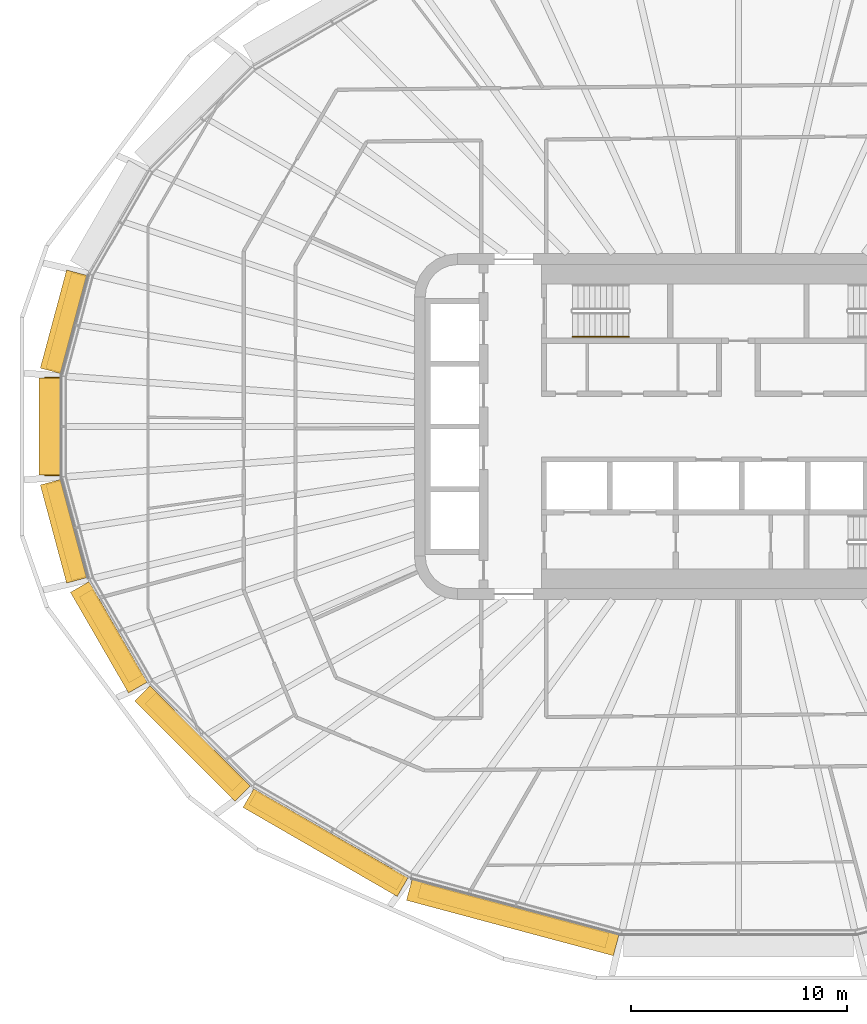
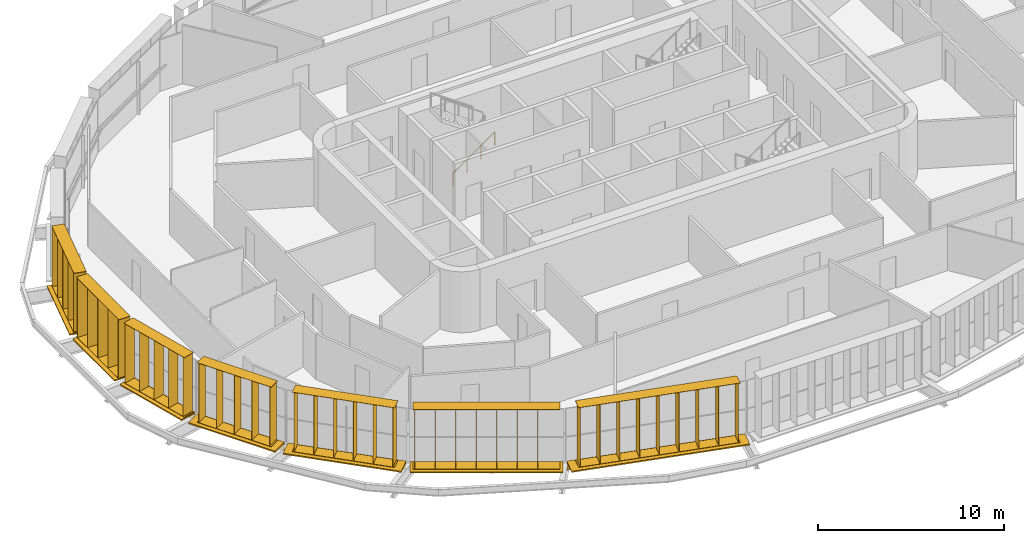
# One storey, part 18 of 23: 14 shading devices, 1 railing.
"""IFC4 building model written with IfcOpenShell, lengths in metres."""

from ifc_helpers import new_model, si_unit, direction, frame, origin, origin_2d, place, context, subcontext, project, spatial, rectangle, circle, extrude, material, type_object, element, save


model = new_model("IFC4")

# Units and contexts
model_context = context("Model", 3, precision=1e-05, world=origin(), true_north=direction((0.0, 1.0)))
body_context = subcontext(model_context, "Body", "Model", "MODEL_VIEW")
ifc_project = project(units=[si_unit("LENGTHUNIT", "METRE"), si_unit("AREAUNIT", "SQUARE_METRE"), si_unit("VOLUMEUNIT", "CUBIC_METRE"), si_unit("PLANEANGLEUNIT", "RADIAN"), si_unit("MASSUNIT", "GRAM", prefix="KILO")], contexts=[model_context])

# Site, building, storey
site_placement = place(None, origin())
site = spatial("IfcSite", under=ifc_project, at=site_placement, CompositionType="ELEMENT")
building_placement = place(site_placement, origin())
building = spatial("IfcBuilding", under=site, at=building_placement, Name="Sahrelin Media Tower", CompositionType="ELEMENT")
storey_placement = place(building_placement, frame((0.0, 0.0, 161.60009765625)))
storey = spatial("IfcBuildingStorey", under=building, at=storey_placement, Name="L33", CompositionType="ELEMENT", Elevation=161.60009765625)

# Shading devices
ifc_material_1 = material(Name="Champagne anodised aluminium 6063-T6", Category="aluminium")
shading_device_type_1 = type_object("IfcShadingDeviceType", Name="Fin cassette", PredefinedType="USERDEFINED", material=ifc_material_1)
placement_1 = place(storey_placement, frame((-30.71728515625, 4.709716796875, 0.0), z_axis=(0.0, 0.0, 1.0), x_axis=(0.258807731996, 0.965928857556, 0.0)))
element("IfcShadingDevice", 1, at=placement_1, inside=storey, type_object=shading_device_type_1, Name="L33:FIN:L33-11", ObjectType="FIN", PredefinedType="USERDEFINED", context=body_context, shape_type="SweptSolid", body=[
    extrude(rectangle(XDim=4.60009765625, YDim=0.699951171875, at=origin_2d()), frame((0.0, 0.419921875, 0.0)), (0.0, 0.0, 1.0), 0.02001953125),
    extrude(rectangle(XDim=4.60009765625, YDim=0.699951171875, at=origin_2d()), frame((0.0, 0.419921875, 3.89990234375)), (0.0, 0.0, 1.0), 0.02001953125),
    extrude(rectangle(XDim=0.02001953125, YDim=0.699951171875, at=origin_2d()), frame((-2.199951171875, 0.419921875, 0.010009765625), z_axis=(0.0, 0.0, 1.0), x_axis=(1.0, 0.0, 0.0)), (0.0, 0.0, 1.0), 3.89990234375),
    extrude(rectangle(XDim=0.02001953125, YDim=0.699951171875, at=origin_2d()), frame((-1.10009765625, 0.419921875, 0.010009765625), z_axis=(0.0, 0.0, 1.0), x_axis=(1.0, 0.0, 0.0)), (0.0, 0.0, 1.0), 3.89990234375),
    extrude(rectangle(XDim=0.02001953125, YDim=0.699951171875, at=origin_2d()), frame((0.0, 0.419921875, 0.010009765625), z_axis=(0.0, 0.0, 1.0), x_axis=(1.0, 0.0, 0.0)), (0.0, 0.0, 1.0), 3.89990234375),
    extrude(rectangle(XDim=0.02001953125, YDim=0.699951171875, at=origin_2d()), frame((1.10009765625, 0.419921875, 0.010009765625), z_axis=(0.0, 0.0, 1.0), x_axis=(1.0, 0.0, 0.0)), (0.0, 0.0, 1.0), 3.89990234375),
    extrude(rectangle(XDim=0.02001953125, YDim=0.699951171875, at=origin_2d()), frame((2.199951171875, 0.419921875, 0.010009765625), z_axis=(0.0, 0.0, 1.0), x_axis=(1.0, 0.0, 0.0)), (0.0, 0.0, 1.0), 3.89990234375),
])
placement_2 = place(storey_placement, frame((-31.3515625, 0.0, 0.0), z_axis=(0.0, 0.0, 1.0), x_axis=(0.0, 1.0, 0.0)))
element("IfcShadingDevice", 2, at=placement_2, inside=storey, type_object=shading_device_type_1, Name="L33:FIN:L33-12", ObjectType="FIN", PredefinedType="USERDEFINED", context=body_context, shape_type="SweptSolid", body=[
    extrude(rectangle(XDim=4.60009765625, YDim=0.699951171875, at=origin_2d()), frame((0.0, 0.419921875, 0.0)), (0.0, 0.0, 1.0), 0.02001953125),
    extrude(rectangle(XDim=4.60009765625, YDim=0.699951171875, at=origin_2d()), frame((0.0, 0.419921875, 3.89990234375)), (0.0, 0.0, 1.0), 0.02001953125),
    extrude(rectangle(XDim=0.02001953125, YDim=0.699951171875, at=origin_2d()), frame((-2.199951171875, 0.419921875, 0.010009765625), z_axis=(0.0, 0.0, 1.0), x_axis=(1.0, 0.0, 0.0)), (0.0, 0.0, 1.0), 3.89990234375),
    extrude(rectangle(XDim=0.02001953125, YDim=0.699951171875, at=origin_2d()), frame((-1.10009765625, 0.419921875, 0.010009765625), z_axis=(0.0, 0.0, 1.0), x_axis=(1.0, 0.0, 0.0)), (0.0, 0.0, 1.0), 3.89990234375),
    extrude(rectangle(XDim=0.02001953125, YDim=0.699951171875, at=origin_2d()), frame((0.0, 0.419921875, 0.010009765625), z_axis=(0.0, 0.0, 1.0), x_axis=(1.0, 0.0, 0.0)), (0.0, 0.0, 1.0), 3.89990234375),
    extrude(rectangle(XDim=0.02001953125, YDim=0.699951171875, at=origin_2d()), frame((1.10009765625, 0.419921875, 0.010009765625), z_axis=(0.0, 0.0, 1.0), x_axis=(1.0, 0.0, 0.0)), (0.0, 0.0, 1.0), 3.89990234375),
    extrude(rectangle(XDim=0.02001953125, YDim=0.699951171875, at=origin_2d()), frame((2.199951171875, 0.419921875, 0.010009765625), z_axis=(0.0, 0.0, 1.0), x_axis=(1.0, 0.0, 0.0)), (0.0, 0.0, 1.0), 3.89990234375),
])
placement_3 = place(storey_placement, frame((-30.71728515625, -4.709716796875, 0.0), z_axis=(0.0, 0.0, 1.0), x_axis=(-0.258807731996, 0.965928857556, 0.0)))
element("IfcShadingDevice", 3, at=placement_3, inside=storey, type_object=shading_device_type_1, Name="L33:FIN:L33-13", ObjectType="FIN", PredefinedType="USERDEFINED", context=body_context, shape_type="SweptSolid", body=[
    extrude(rectangle(XDim=4.60009765625, YDim=0.699951171875, at=origin_2d()), frame((0.0, 0.419921875, 0.0)), (0.0, 0.0, 1.0), 0.02001953125),
    extrude(rectangle(XDim=4.60009765625, YDim=0.699951171875, at=origin_2d()), frame((0.0, 0.419921875, 3.89990234375)), (0.0, 0.0, 1.0), 0.02001953125),
    extrude(rectangle(XDim=0.02001953125, YDim=0.699951171875, at=origin_2d()), frame((-2.199951171875, 0.419921875, 0.010009765625), z_axis=(0.0, 0.0, 1.0), x_axis=(1.0, 0.0, 0.0)), (0.0, 0.0, 1.0), 3.89990234375),
    extrude(rectangle(XDim=0.02001953125, YDim=0.699951171875, at=origin_2d()), frame((-1.10009765625, 0.419921875, 0.010009765625), z_axis=(0.0, 0.0, 1.0), x_axis=(1.0, 0.0, 0.0)), (0.0, 0.0, 1.0), 3.89990234375),
    extrude(rectangle(XDim=0.02001953125, YDim=0.699951171875, at=origin_2d()), frame((0.0, 0.419921875, 0.010009765625), z_axis=(0.0, 0.0, 1.0), x_axis=(1.0, 0.0, 0.0)), (0.0, 0.0, 1.0), 3.89990234375),
    extrude(rectangle(XDim=0.02001953125, YDim=0.699951171875, at=origin_2d()), frame((1.10009765625, 0.419921875, 0.010009765625), z_axis=(0.0, 0.0, 1.0), x_axis=(1.0, 0.0, 0.0)), (0.0, 0.0, 1.0), 3.89990234375),
    extrude(rectangle(XDim=0.02001953125, YDim=0.699951171875, at=origin_2d()), frame((2.199951171875, 0.419921875, 0.010009765625), z_axis=(0.0, 0.0, 1.0), x_axis=(1.0, 0.0, 0.0)), (0.0, 0.0, 1.0), 3.89990234375),
])
placement_4 = place(storey_placement, frame((-28.689208984375, -9.490966796875, 0.0), z_axis=(0.0, 0.0, 1.0), x_axis=(-0.500011000363, 0.866019052629, 0.0)))
element("IfcShadingDevice", 4, at=placement_4, inside=storey, type_object=shading_device_type_1, Name="L33:FIN:L33-14", ObjectType="FIN", PredefinedType="USERDEFINED", context=body_context, shape_type="SweptSolid", body=[
    extrude(rectangle(XDim=4.60009765625, YDim=0.699951171875, at=origin_2d()), frame((0.0, 0.419921875, 0.0)), (0.0, 0.0, 1.0), 0.02001953125),
    extrude(rectangle(XDim=4.60009765625, YDim=0.699951171875, at=origin_2d()), frame((0.0, 0.419921875, 3.89990234375)), (0.0, 0.0, 1.0), 0.02001953125),
    extrude(rectangle(XDim=0.02001953125, YDim=0.699951171875, at=origin_2d()), frame((-2.199951171875, 0.419921875, 0.010009765625), z_axis=(0.0, 0.0, 1.0), x_axis=(1.0, 0.0, 0.0)), (0.0, 0.0, 1.0), 3.89990234375),
    extrude(rectangle(XDim=0.02001953125, YDim=0.699951171875, at=origin_2d()), frame((-1.10009765625, 0.419921875, 0.010009765625), z_axis=(0.0, 0.0, 1.0), x_axis=(1.0, 0.0, 0.0)), (0.0, 0.0, 1.0), 3.89990234375),
    extrude(rectangle(XDim=0.02001953125, YDim=0.699951171875, at=origin_2d()), frame((0.0, 0.419921875, 0.010009765625), z_axis=(0.0, 0.0, 1.0), x_axis=(1.0, 0.0, 0.0)), (0.0, 0.0, 1.0), 3.89990234375),
    extrude(rectangle(XDim=0.02001953125, YDim=0.699951171875, at=origin_2d()), frame((1.10009765625, 0.419921875, 0.010009765625), z_axis=(0.0, 0.0, 1.0), x_axis=(1.0, 0.0, 0.0)), (0.0, 0.0, 1.0), 3.89990234375),
    extrude(rectangle(XDim=0.02001953125, YDim=0.699951171875, at=origin_2d()), frame((2.199951171875, 0.419921875, 0.010009765625), z_axis=(0.0, 0.0, 1.0), x_axis=(1.0, 0.0, 0.0)), (0.0, 0.0, 1.0), 3.89990234375),
])
placement_5 = place(storey_placement, frame((-24.900634765625, -14.30029296875, 0.0), z_axis=(0.0, 0.0, 1.0), x_axis=(-0.707106781187, 0.707106781187, 0.0)))
element("IfcShadingDevice", 5, at=placement_5, inside=storey, type_object=shading_device_type_1, Name="L33:FIN:L33-15", ObjectType="FIN", PredefinedType="USERDEFINED", context=body_context, shape_type="SweptSolid", body=[
    extrude(rectangle(XDim=5.699951171875, YDim=0.699951171875, at=origin_2d()), frame((0.0, 0.419921875, 0.0)), (0.0, 0.0, 1.0), 0.02001953125),
    extrude(rectangle(XDim=5.699951171875, YDim=0.699951171875, at=origin_2d()), frame((0.0, 0.419921875, 3.89990234375)), (0.0, 0.0, 1.0), 0.02001953125),
    extrude(rectangle(XDim=0.02001953125, YDim=0.699951171875, at=origin_2d()), frame((-2.75, 0.419921875, 0.010009765625), z_axis=(0.0, 0.0, 1.0), x_axis=(1.0, 0.0, 0.0)), (0.0, 0.0, 1.0), 3.89990234375),
    extrude(rectangle(XDim=0.02001953125, YDim=0.699951171875, at=origin_2d()), frame((-1.64990234375, 0.419921875, 0.010009765625), z_axis=(0.0, 0.0, 1.0), x_axis=(1.0, 0.0, 0.0)), (0.0, 0.0, 1.0), 3.89990234375),
    extrude(rectangle(XDim=0.02001953125, YDim=0.699951171875, at=origin_2d()), frame((-0.550048828125, 0.419921875, 0.010009765625), z_axis=(0.0, 0.0, 1.0), x_axis=(1.0, 0.0, 0.0)), (0.0, 0.0, 1.0), 3.89990234375),
    extrude(rectangle(XDim=0.02001953125, YDim=0.699951171875, at=origin_2d()), frame((0.550048828125, 0.419921875, 0.010009765625), z_axis=(0.0, 0.0, 1.0), x_axis=(1.0, 0.0, 0.0)), (0.0, 0.0, 1.0), 3.89990234375),
    extrude(rectangle(XDim=0.02001953125, YDim=0.699951171875, at=origin_2d()), frame((1.64990234375, 0.419921875, 0.010009765625), z_axis=(0.0, 0.0, 1.0), x_axis=(1.0, 0.0, 0.0)), (0.0, 0.0, 1.0), 3.89990234375),
    extrude(rectangle(XDim=0.02001953125, YDim=0.699951171875, at=origin_2d()), frame((2.75, 0.419921875, 0.010009765625), z_axis=(0.0, 0.0, 1.0), x_axis=(1.0, 0.0, 0.0)), (0.0, 0.0, 1.0), 3.89990234375),
])
placement_6 = place(storey_placement, frame((-18.85107421875, -18.804931640625, 0.0), z_axis=(0.0, 0.0, 1.0), x_axis=(-0.866019052629, 0.500011000363, 0.0)))
element("IfcShadingDevice", 6, at=placement_6, inside=storey, type_object=shading_device_type_1, Name="L33:FIN:L33-16", ObjectType="FIN", PredefinedType="USERDEFINED", context=body_context, shape_type="SweptSolid", body=[
    extrude(rectangle(XDim=7.89990234375, YDim=0.699951171875, at=origin_2d()), frame((0.0, 0.419921875, 0.0)), (0.0, 0.0, 1.0), 0.02001953125),
    extrude(rectangle(XDim=7.89990234375, YDim=0.699951171875, at=origin_2d()), frame((0.0, 0.419921875, 3.89990234375)), (0.0, 0.0, 1.0), 0.02001953125),
    extrude(rectangle(XDim=0.02001953125, YDim=0.699951171875, at=origin_2d()), frame((-3.85009765625, 0.419921875, 0.010009765625), z_axis=(0.0, 0.0, 1.0), x_axis=(1.0, 0.0, 0.0)), (0.0, 0.0, 1.0), 3.89990234375),
    extrude(rectangle(XDim=0.02001953125, YDim=0.699951171875, at=origin_2d()), frame((-2.75, 0.419921875, 0.010009765625), z_axis=(0.0, 0.0, 1.0), x_axis=(1.0, 0.0, 0.0)), (0.0, 0.0, 1.0), 3.89990234375),
    extrude(rectangle(XDim=0.02001953125, YDim=0.699951171875, at=origin_2d()), frame((-1.64990234375, 0.419921875, 0.010009765625), z_axis=(0.0, 0.0, 1.0), x_axis=(1.0, 0.0, 0.0)), (0.0, 0.0, 1.0), 3.89990234375),
    extrude(rectangle(XDim=0.02001953125, YDim=0.699951171875, at=origin_2d()), frame((-0.550048828125, 0.419921875, 0.010009765625), z_axis=(0.0, 0.0, 1.0), x_axis=(1.0, 0.0, 0.0)), (0.0, 0.0, 1.0), 3.89990234375),
    extrude(rectangle(XDim=0.02001953125, YDim=0.699951171875, at=origin_2d()), frame((0.550048828125, 0.419921875, 0.010009765625), z_axis=(0.0, 0.0, 1.0), x_axis=(1.0, 0.0, 0.0)), (0.0, 0.0, 1.0), 3.89990234375),
    extrude(rectangle(XDim=0.02001953125, YDim=0.699951171875, at=origin_2d()), frame((1.64990234375, 0.419921875, 0.010009765625), z_axis=(0.0, 0.0, 1.0), x_axis=(1.0, 0.0, 0.0)), (0.0, 0.0, 1.0), 3.89990234375),
    extrude(rectangle(XDim=0.02001953125, YDim=0.699951171875, at=origin_2d()), frame((2.75, 0.419921875, 0.010009765625), z_axis=(0.0, 0.0, 1.0), x_axis=(1.0, 0.0, 0.0)), (0.0, 0.0, 1.0), 3.89990234375),
    extrude(rectangle(XDim=0.02001953125, YDim=0.699951171875, at=origin_2d()), frame((3.85009765625, 0.419921875, 0.010009765625), z_axis=(0.0, 0.0, 1.0), x_axis=(1.0, 0.0, 0.0)), (0.0, 0.0, 1.0), 3.89990234375),
])
placement_7 = place(storey_placement, frame((-10.312255859375, -22.2236328125, 0.0), z_axis=(0.0, 0.0, 1.0), x_axis=(-0.965928857556, 0.258807731996, 0.0)))
element("IfcShadingDevice", 7, at=placement_7, inside=storey, type_object=shading_device_type_1, Name="L33:FIN:L33-17", ObjectType="FIN", PredefinedType="USERDEFINED", context=body_context, shape_type="SweptSolid", body=[
    extrude(rectangle(XDim=9.0, YDim=0.699951171875, at=origin_2d()), frame((0.0, 0.419921875, 0.0)), (0.0, 0.0, 1.0), 0.02001953125),
    extrude(rectangle(XDim=9.0, YDim=0.699951171875, at=origin_2d()), frame((0.0, 0.419921875, 3.89990234375)), (0.0, 0.0, 1.0), 0.02001953125),
    extrude(rectangle(XDim=0.02001953125, YDim=0.699951171875, at=origin_2d()), frame((-4.39990234375, 0.419921875, 0.010009765625), z_axis=(0.0, 0.0, 1.0), x_axis=(1.0, 0.0, 0.0)), (0.0, 0.0, 1.0), 3.89990234375),
    extrude(rectangle(XDim=0.02001953125, YDim=0.699951171875, at=origin_2d()), frame((-3.300048828125, 0.419921875, 0.010009765625), z_axis=(0.0, 0.0, 1.0), x_axis=(1.0, 0.0, 0.0)), (0.0, 0.0, 1.0), 3.89990234375),
    extrude(rectangle(XDim=0.02001953125, YDim=0.699951171875, at=origin_2d()), frame((-2.199951171875, 0.419921875, 0.010009765625), z_axis=(0.0, 0.0, 1.0), x_axis=(1.0, 0.0, 0.0)), (0.0, 0.0, 1.0), 3.89990234375),
    extrude(rectangle(XDim=0.02001953125, YDim=0.699951171875, at=origin_2d()), frame((-1.10009765625, 0.419921875, 0.010009765625), z_axis=(0.0, 0.0, 1.0), x_axis=(1.0, 0.0, 0.0)), (0.0, 0.0, 1.0), 3.89990234375),
    extrude(rectangle(XDim=0.02001953125, YDim=0.699951171875, at=origin_2d()), frame((0.0, 0.419921875, 0.010009765625), z_axis=(0.0, 0.0, 1.0), x_axis=(1.0, 0.0, 0.0)), (0.0, 0.0, 1.0), 3.89990234375),
    extrude(rectangle(XDim=0.02001953125, YDim=0.699951171875, at=origin_2d()), frame((1.10009765625, 0.419921875, 0.010009765625), z_axis=(0.0, 0.0, 1.0), x_axis=(1.0, 0.0, 0.0)), (0.0, 0.0, 1.0), 3.89990234375),
    extrude(rectangle(XDim=0.02001953125, YDim=0.699951171875, at=origin_2d()), frame((2.199951171875, 0.419921875, 0.010009765625), z_axis=(0.0, 0.0, 1.0), x_axis=(1.0, 0.0, 0.0)), (0.0, 0.0, 1.0), 3.89990234375),
    extrude(rectangle(XDim=0.02001953125, YDim=0.699951171875, at=origin_2d()), frame((3.300048828125, 0.419921875, 0.010009765625), z_axis=(0.0, 0.0, 1.0), x_axis=(1.0, 0.0, 0.0)), (0.0, 0.0, 1.0), 3.89990234375),
    extrude(rectangle(XDim=0.02001953125, YDim=0.699951171875, at=origin_2d()), frame((4.39990234375, 0.419921875, 0.010009765625), z_axis=(0.0, 0.0, 1.0), x_axis=(1.0, 0.0, 0.0)), (0.0, 0.0, 1.0), 3.89990234375),
])

# Railing
ifc_material_2 = material(Name="Steel S355", Category="steel")
railing_type = type_object("IfcRailingType", Name="Stair handrail 900", PredefinedType="HANDRAIL", material=ifc_material_2)
railing_placement = place(storey_placement, frame((-7.675048828125, 4.14990234375, 0.181640625)))
element("IfcRailing", 8, at=railing_placement, inside=storey, type_object=railing_type, Name="L33 ST1 stair handrail 1", PredefinedType="HANDRAIL", context=body_context, shape_type="SweptSolid", body=[
    extrude(circle(Radius=0.02392578125, at=origin_2d()), frame((0.0, 0.0, 0.8759765625), z_axis=(0.819484887739, 0.0, 0.573100792852), x_axis=(0.0, 1.0, 0.0)), (0.0, 0.0, 1.0), 3.1728515625),
    extrude(circle(Radius=0.02099609375, at=origin_2d()), origin(), (0.0, 0.0, 1.0), 0.851806640625),
    extrude(circle(Radius=0.02099609375, at=origin_2d()), frame((0.86669921875, 0.0, 0.606201171875)), (0.0, 0.0, 1.0), 0.851806640625),
    extrude(circle(Radius=0.02099609375, at=origin_2d()), frame((1.7333984375, 0.0, 1.212158203125)), (0.0, 0.0, 1.0), 0.851806640625),
    extrude(circle(Radius=0.02099609375, at=origin_2d()), frame((2.60009765625, 0.0, 1.818359375)), (0.0, 0.0, 1.0), 0.851806640625),
])

# Shading devices
shading_device_type_2 = type_object("IfcShadingDeviceType", Name="Sunshade band", PredefinedType="USERDEFINED", material=ifc_material_1)
element("IfcShadingDevice", 9, at=placement_1, inside=storey, type_object=shading_device_type_2, Name="L33:SUN:L33-11", ObjectType="SUNSHADE", PredefinedType="USERDEFINED", context=body_context, shape_type="SweptSolid", body=[
    extrude(rectangle(XDim=4.70068359375, YDim=0.050048828125, at=origin_2d()), frame((0.0, 0.044921875, -0.55126953125)), (0.0, 0.0, 1.0), 0.471435546875),
    extrude(rectangle(XDim=4.70068359375, YDim=1.0, at=origin_2d()), frame((0.0, 0.52001953125, -0.080078125)), (0.0, 0.0, 1.0), 0.080078125),
    extrude(rectangle(XDim=0.10009765625, YDim=0.074951171875, at=origin_2d()), frame((-2.250244140625, -0.017578125, -0.47021484375)), (0.0, 0.0, 1.0), 0.300048828125),
    extrude(rectangle(XDim=0.10009765625, YDim=0.074951171875, at=origin_2d()), frame((-0.75, -0.017578125, -0.47021484375)), (0.0, 0.0, 1.0), 0.300048828125),
    extrude(rectangle(XDim=0.10009765625, YDim=0.074951171875, at=origin_2d()), frame((0.75, -0.017578125, -0.47021484375)), (0.0, 0.0, 1.0), 0.300048828125),
    extrude(rectangle(XDim=0.10009765625, YDim=0.074951171875, at=origin_2d()), frame((2.250244140625, -0.017578125, -0.47021484375)), (0.0, 0.0, 1.0), 0.300048828125),
])
element("IfcShadingDevice", 10, at=placement_2, inside=storey, type_object=shading_device_type_2, Name="L33:SUN:L33-12", ObjectType="SUNSHADE", PredefinedType="USERDEFINED", context=body_context, shape_type="SweptSolid", body=[
    extrude(rectangle(XDim=4.486083984375, YDim=0.050048828125, at=origin_2d()), frame((0.0, 0.044921875, -0.55126953125)), (0.0, 0.0, 1.0), 0.471435546875),
    extrude(rectangle(XDim=4.486083984375, YDim=1.0, at=origin_2d()), frame((0.0, 0.52001953125, -0.080078125)), (0.0, 0.0, 1.0), 0.080078125),
    extrude(rectangle(XDim=0.10009765625, YDim=0.074951171875, at=origin_2d()), frame((-2.14306640625, -0.017578125, -0.47021484375)), (0.0, 0.0, 1.0), 0.300048828125),
    extrude(rectangle(XDim=0.10009765625, YDim=0.074951171875, at=origin_2d()), frame((-0.71435546875, -0.017578125, -0.47021484375)), (0.0, 0.0, 1.0), 0.300048828125),
    extrude(rectangle(XDim=0.10009765625, YDim=0.074951171875, at=origin_2d()), frame((0.71435546875, -0.017578125, -0.47021484375)), (0.0, 0.0, 1.0), 0.300048828125),
    extrude(rectangle(XDim=0.10009765625, YDim=0.074951171875, at=origin_2d()), frame((2.14306640625, -0.017578125, -0.47021484375)), (0.0, 0.0, 1.0), 0.300048828125),
])
element("IfcShadingDevice", 11, at=placement_3, inside=storey, type_object=shading_device_type_2, Name="L33:SUN:L33-13", ObjectType="SUNSHADE", PredefinedType="USERDEFINED", context=body_context, shape_type="SweptSolid", body=[
    extrude(rectangle(XDim=4.70068359375, YDim=0.050048828125, at=origin_2d()), frame((0.0, 0.044921875, -0.55126953125)), (0.0, 0.0, 1.0), 0.471435546875),
    extrude(rectangle(XDim=4.70068359375, YDim=1.0, at=origin_2d()), frame((0.0, 0.52001953125, -0.080078125)), (0.0, 0.0, 1.0), 0.080078125),
    extrude(rectangle(XDim=0.10009765625, YDim=0.074951171875, at=origin_2d()), frame((-2.250244140625, -0.017578125, -0.47021484375)), (0.0, 0.0, 1.0), 0.300048828125),
    extrude(rectangle(XDim=0.10009765625, YDim=0.074951171875, at=origin_2d()), frame((-0.75, -0.017578125, -0.47021484375)), (0.0, 0.0, 1.0), 0.300048828125),
    extrude(rectangle(XDim=0.10009765625, YDim=0.074951171875, at=origin_2d()), frame((0.75, -0.017578125, -0.47021484375)), (0.0, 0.0, 1.0), 0.300048828125),
    extrude(rectangle(XDim=0.10009765625, YDim=0.074951171875, at=origin_2d()), frame((2.250244140625, -0.017578125, -0.47021484375)), (0.0, 0.0, 1.0), 0.300048828125),
])
element("IfcShadingDevice", 12, at=placement_4, inside=storey, type_object=shading_device_type_2, Name="L33:SUN:L33-14", ObjectType="SUNSHADE", PredefinedType="USERDEFINED", context=body_context, shape_type="SweptSolid", body=[
    extrude(rectangle(XDim=5.375732421875, YDim=0.050048828125, at=origin_2d()), frame((0.0, 0.044921875, -0.55126953125)), (0.0, 0.0, 1.0), 0.471435546875),
    extrude(rectangle(XDim=5.375732421875, YDim=1.0, at=origin_2d()), frame((0.0, 0.52001953125, -0.080078125)), (0.0, 0.0, 1.0), 0.080078125),
    extrude(rectangle(XDim=0.10009765625, YDim=0.074951171875, at=origin_2d()), frame((-2.587890625, -0.017578125, -0.47021484375)), (0.0, 0.0, 1.0), 0.300048828125),
    extrude(rectangle(XDim=0.10009765625, YDim=0.074951171875, at=origin_2d()), frame((-0.862548828125, -0.017578125, -0.47021484375)), (0.0, 0.0, 1.0), 0.300048828125),
    extrude(rectangle(XDim=0.10009765625, YDim=0.074951171875, at=origin_2d()), frame((0.862548828125, -0.017578125, -0.47021484375)), (0.0, 0.0, 1.0), 0.300048828125),
    extrude(rectangle(XDim=0.10009765625, YDim=0.074951171875, at=origin_2d()), frame((2.587890625, -0.017578125, -0.47021484375)), (0.0, 0.0, 1.0), 0.300048828125),
])
element("IfcShadingDevice", 13, at=placement_5, inside=storey, type_object=shading_device_type_2, Name="L33:SUN:L33-15", ObjectType="SUNSHADE", PredefinedType="USERDEFINED", context=body_context, shape_type="SweptSolid", body=[
    extrude(rectangle(XDim=6.573486328125, YDim=0.050048828125, at=origin_2d()), frame((0.0, 0.044921875, -0.55126953125)), (0.0, 0.0, 1.0), 0.471435546875),
    extrude(rectangle(XDim=6.573486328125, YDim=1.0, at=origin_2d()), frame((0.0, 0.52001953125, -0.080078125)), (0.0, 0.0, 1.0), 0.080078125),
    extrude(rectangle(XDim=0.10009765625, YDim=0.074951171875, at=origin_2d()), frame((-3.186767578125, -0.017578125, -0.47021484375)), (0.0, 0.0, 1.0), 0.300048828125),
    extrude(rectangle(XDim=0.10009765625, YDim=0.074951171875, at=origin_2d()), frame((-1.59326171875, -0.017578125, -0.47021484375)), (0.0, 0.0, 1.0), 0.300048828125),
    extrude(rectangle(XDim=0.10009765625, YDim=0.074951171875, at=origin_2d()), frame((0.0, -0.017578125, -0.47021484375)), (0.0, 0.0, 1.0), 0.300048828125),
    extrude(rectangle(XDim=0.10009765625, YDim=0.074951171875, at=origin_2d()), frame((1.59326171875, -0.017578125, -0.47021484375)), (0.0, 0.0, 1.0), 0.300048828125),
    extrude(rectangle(XDim=0.10009765625, YDim=0.074951171875, at=origin_2d()), frame((3.186767578125, -0.017578125, -0.47021484375)), (0.0, 0.0, 1.0), 0.300048828125),
])
element("IfcShadingDevice", 14, at=placement_6, inside=storey, type_object=shading_device_type_2, Name="L33:SUN:L33-16", ObjectType="SUNSHADE", PredefinedType="USERDEFINED", context=body_context, shape_type="SweptSolid", body=[
    extrude(rectangle(XDim=8.240478515625, YDim=0.050048828125, at=origin_2d()), frame((0.0, 0.044921875, -0.55126953125)), (0.0, 0.0, 1.0), 0.471435546875),
    extrude(rectangle(XDim=8.240478515625, YDim=1.0, at=origin_2d()), frame((0.0, 0.52001953125, -0.080078125)), (0.0, 0.0, 1.0), 0.080078125),
    extrude(rectangle(XDim=0.10009765625, YDim=0.074951171875, at=origin_2d()), frame((-4.020263671875, -0.017578125, -0.47021484375)), (0.0, 0.0, 1.0), 0.300048828125),
    extrude(rectangle(XDim=0.10009765625, YDim=0.074951171875, at=origin_2d()), frame((-2.412109375, -0.017578125, -0.47021484375)), (0.0, 0.0, 1.0), 0.300048828125),
    extrude(rectangle(XDim=0.10009765625, YDim=0.074951171875, at=origin_2d()), frame((-0.803955078125, -0.017578125, -0.47021484375)), (0.0, 0.0, 1.0), 0.300048828125),
    extrude(rectangle(XDim=0.10009765625, YDim=0.074951171875, at=origin_2d()), frame((0.803955078125, -0.017578125, -0.47021484375)), (0.0, 0.0, 1.0), 0.300048828125),
    extrude(rectangle(XDim=0.10009765625, YDim=0.074951171875, at=origin_2d()), frame((2.412109375, -0.017578125, -0.47021484375)), (0.0, 0.0, 1.0), 0.300048828125),
    extrude(rectangle(XDim=0.10009765625, YDim=0.074951171875, at=origin_2d()), frame((4.020263671875, -0.017578125, -0.47021484375)), (0.0, 0.0, 1.0), 0.300048828125),
])
element("IfcShadingDevice", 15, at=placement_7, inside=storey, type_object=shading_device_type_2, Name="L33:SUN:L33-17", ObjectType="SUNSHADE", PredefinedType="USERDEFINED", context=body_context, shape_type="SweptSolid", body=[
    extrude(rectangle(XDim=9.91259765625, YDim=0.050048828125, at=origin_2d()), frame((0.0, 0.044921875, -0.55126953125)), (0.0, 0.0, 1.0), 0.471435546875),
    extrude(rectangle(XDim=9.91259765625, YDim=1.0, at=origin_2d()), frame((0.0, 0.52001953125, -0.080078125)), (0.0, 0.0, 1.0), 0.080078125),
    extrude(rectangle(XDim=0.10009765625, YDim=0.074951171875, at=origin_2d()), frame((-4.856201171875, -0.017578125, -0.47021484375)), (0.0, 0.0, 1.0), 0.300048828125),
    extrude(rectangle(XDim=0.10009765625, YDim=0.074951171875, at=origin_2d()), frame((-2.913818359375, -0.017578125, -0.47021484375)), (0.0, 0.0, 1.0), 0.300048828125),
    extrude(rectangle(XDim=0.10009765625, YDim=0.074951171875, at=origin_2d()), frame((-0.97119140625, -0.017578125, -0.47021484375)), (0.0, 0.0, 1.0), 0.300048828125),
    extrude(rectangle(XDim=0.10009765625, YDim=0.074951171875, at=origin_2d()), frame((0.97119140625, -0.017578125, -0.47021484375)), (0.0, 0.0, 1.0), 0.300048828125),
    extrude(rectangle(XDim=0.10009765625, YDim=0.074951171875, at=origin_2d()), frame((2.913818359375, -0.017578125, -0.47021484375)), (0.0, 0.0, 1.0), 0.300048828125),
    extrude(rectangle(XDim=0.10009765625, YDim=0.074951171875, at=origin_2d()), frame((4.856201171875, -0.017578125, -0.47021484375)), (0.0, 0.0, 1.0), 0.300048828125),
])

save(model, "model.ifc")
